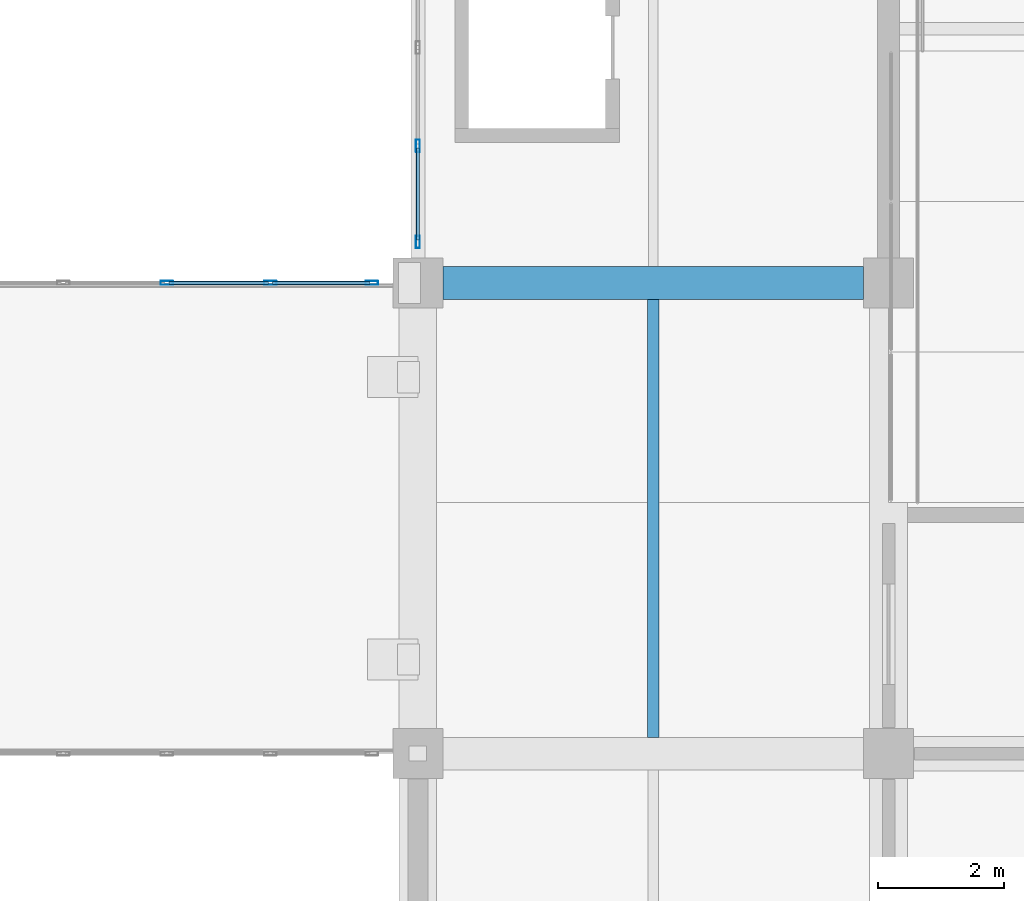
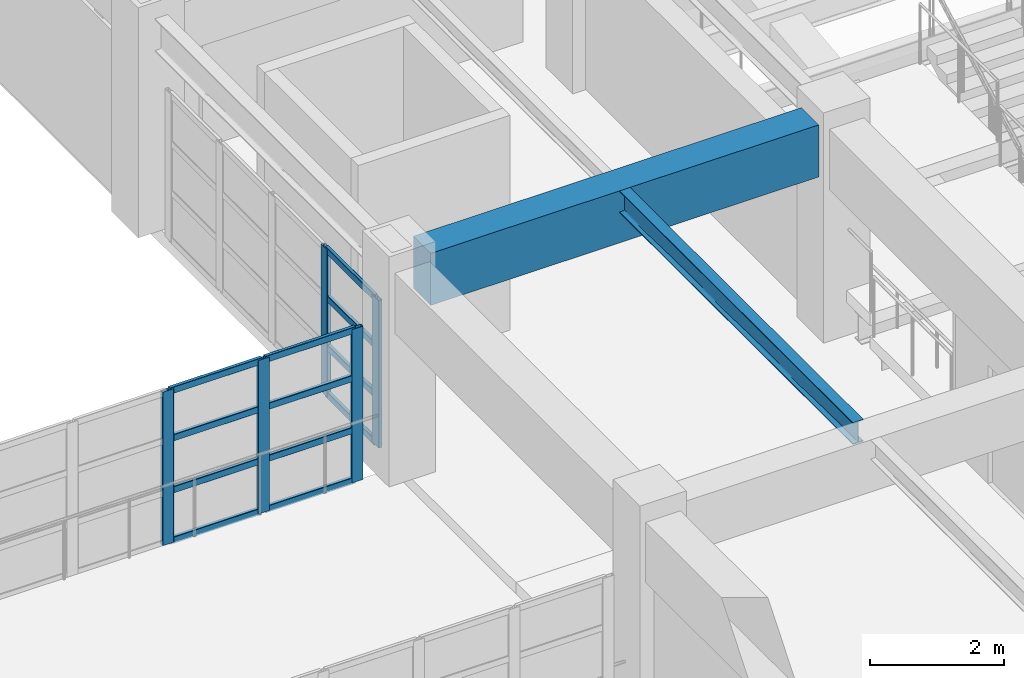
# One storey, part 24 of 124: 17 members, 2 beams, 2 elements without a shape of their own.
"""IFC4 building model written with IfcOpenShell, lengths in metres."""

from ifc_helpers import new_model, si_unit, direction, frame, origin, origin_2d, place, context, subcontext, project, spatial, rectangle, hollow_rectangle, i_section, extrude, material, material_profile, profile_set, type_object, element, aggregate, save


model = new_model("IFC4")

# Units and contexts
model_context = context("Model", 3, precision=1e-05, world=origin(), true_north=direction((0.0, 1.0)))
body_context = subcontext(model_context, "Body", "Model", "MODEL_VIEW")
ifc_project = project(units=[si_unit("LENGTHUNIT", "METRE"), si_unit("AREAUNIT", "SQUARE_METRE"), si_unit("VOLUMEUNIT", "CUBIC_METRE"), si_unit("PLANEANGLEUNIT", "RADIAN"), si_unit("MASSUNIT", "GRAM", prefix="KILO")], contexts=[model_context])

# Site, building, storey
site_placement = place(None, origin())
site = spatial("IfcSite", under=ifc_project, at=site_placement, CompositionType="ELEMENT")
building_placement = place(site_placement, origin())
building = spatial("IfcBuilding", under=site, at=building_placement, Name="Qasida Concert Hall", CompositionType="ELEMENT")
storey_placement = place(building_placement, frame((0.0, 0.0, 9.0)))
storey = spatial("IfcBuildingStorey", under=building, at=storey_placement, Name="L02", CompositionType="ELEMENT", Elevation=9.0)

# Beams
ifc_material_1 = material(Name="Concrete C40/50", Category="concrete")
ifc_material_profile_1 = material_profile(ifc_material_1, rectangle(XDim=0.52001953125, YDim=0.949951171875, at=origin_2d()), Name="RC 520x950")
ifc_profile_set_1 = profile_set([ifc_material_profile_1], Name="Concrete C40/50")
beam_type_1 = type_object("IfcBeamType", Name="BM-G7", PredefinedType="USERDEFINED", material=ifc_profile_set_1)
beam_1_placement = place(storey_placement, frame((52.89990234375, 37.5, 3.425048828125), z_axis=(1.0, 0.0, 0.0), x_axis=(0.0, 1.0, 0.0)))
element("IfcBeam", 1, at=beam_1_placement, inside=storey, type_object=beam_type_1, Name="Primary girder 1147", ObjectType="GIRDER", PredefinedType="USERDEFINED", context=body_context, shape_type="SweptSolid", body=[
    extrude(rectangle(XDim=0.52001953125, YDim=0.949951171875, at=origin_2d()), origin(), (0.0, 0.0, 1.0), 6.7001953125),
])
ifc_material_2 = material(Name="Steel S355J2", Category="steel")
ifc_material_profile_2 = material_profile(ifc_material_2, i_section(OverallWidth=0.179931640625, OverallDepth=0.39990234375, WebThickness=0.008544921875, FlangeThickness=0.013427734375, FilletRadius=0.02099609375, at=origin_2d()), Name="IPE 400")
ifc_profile_set_2 = profile_set([ifc_material_profile_2], Name="Steel S355J2")
beam_type_2 = type_object("IfcBeamType", Name="BM-J3", PredefinedType="JOIST", material=ifc_profile_set_2)
beam_2_placement = place(storey_placement, frame((56.25, 30.260009765625, 3.699951171875), z_axis=(0.0, 1.0, 0.0), x_axis=(-1.0, 0.0, 0.0)))
element("IfcBeam", 2, at=beam_2_placement, inside=storey, type_object=beam_type_2, Name="L02 secondary joist 1202", PredefinedType="JOIST", context=body_context, shape_type="SweptSolid", body=[
    extrude(i_section(OverallWidth=0.179931640625, OverallDepth=0.39990234375, WebThickness=0.008544921875, FlangeThickness=0.013427734375, FilletRadius=0.02099609375, at=origin_2d()), origin(), (0.0, 0.0, 1.0), 6.97998046875),
])

# Curtain wall, members
ifc_material_3 = material(Name="Architectural bronze-anodized aluminium and low-E glass", Category="aluminium")
curtain_wall_type_1 = type_object("IfcCurtainWallType", Name="CW-03", PredefinedType="NOTDEFINED", material=ifc_material_3)
curtain_wall_1_placement = place(storey_placement, origin())
curtain_wall_1 = element("IfcCurtainWall", 3, at=curtain_wall_1_placement, inside=storey, type_object=curtain_wall_type_1, Name="L02 curtain wall CW-03 0047", PredefinedType="NOTDEFINED")
ifc_material_4 = material(Name="Architectural bronze-anodized aluminium EN AW-6063", Category="aluminium")
ifc_material_profile_3 = material_profile(ifc_material_4, hollow_rectangle(XDim=0.06494140625, YDim=0.199951171875, WallThickness=0.0048828125, InnerFilletRadius=0.0048828125, OuterFilletRadius=0.010009765625, at=origin_2d()), Name="CWM 200x65x5")
ifc_profile_set_3 = profile_set([ifc_material_profile_3], Name="Architectural bronze-anodized aluminium EN AW-6063")
member_type_1 = type_object("IfcMemberType", Name="MB-CWM-2", PredefinedType="MULLION", material=ifc_profile_set_3)
member_1_placement = place(storey_placement, frame((52.5, 38.152587890625, 0.0), z_axis=(0.0, 0.0, 1.0), x_axis=(-1.0, 0.0, 0.0)))
member_1 = element("IfcMember", 4, at=member_1_placement, type_object=member_type_1, Name="CW-03 mullion 1", PredefinedType="MULLION", context=body_context, shape_type="SweptSolid", body=[
    extrude(hollow_rectangle(XDim=0.06494140625, YDim=0.199951171875, WallThickness=0.0048828125, InnerFilletRadius=0.0048828125, OuterFilletRadius=0.010009765625, at=origin_2d()), origin(), (0.0, 0.0, 1.0), 2.68994140625),
])
member_2_placement = place(storey_placement, frame((52.5, 39.68505859375, 0.0), z_axis=(0.0, 0.0, 1.0), x_axis=(-1.0, 0.0, 0.0)))
member_2 = element("IfcMember", 5, at=member_2_placement, type_object=member_type_1, Name="CW-03 mullion 2", PredefinedType="MULLION", context=body_context, shape_type="SweptSolid", body=[
    extrude(hollow_rectangle(XDim=0.06494140625, YDim=0.199951171875, WallThickness=0.0048828125, InnerFilletRadius=0.0048828125, OuterFilletRadius=0.010009765625, at=origin_2d()), origin(), (0.0, 0.0, 1.0), 2.68994140625),
])

curtain_wall_type_2 = type_object("IfcCurtainWallType", Name="CW-08", PredefinedType="NOTDEFINED", material=ifc_material_3)
curtain_wall_2_placement = place(storey_placement, origin())
curtain_wall_2 = element("IfcCurtainWall", 6, at=curtain_wall_2_placement, inside=storey, type_object=curtain_wall_type_2, Name="L02 link bridge glazing 0205", PredefinedType="NOTDEFINED")
member_3_placement = place(storey_placement, frame((48.5, 37.5, 0.0), z_axis=(0.0, 0.0, 1.0), x_axis=(0.0, 1.0, 0.0)))
member_3 = element("IfcMember", 7, at=member_3_placement, type_object=member_type_1, Name="CW-08 mullion 3", PredefinedType="MULLION", context=body_context, shape_type="SweptSolid", body=[
    extrude(hollow_rectangle(XDim=0.06494140625, YDim=0.199951171875, WallThickness=0.0048828125, InnerFilletRadius=0.0048828125, OuterFilletRadius=0.010009765625, at=origin_2d()), origin(), (0.0, 0.0, 1.0), 2.800048828125),
])
member_4_placement = place(storey_placement, frame((50.14990234375, 37.5, 0.0), z_axis=(0.0, 0.0, 1.0), x_axis=(0.0, 1.0, 0.0)))
member_4 = element("IfcMember", 8, at=member_4_placement, type_object=member_type_1, Name="CW-08 mullion 4", PredefinedType="MULLION", context=body_context, shape_type="SweptSolid", body=[
    extrude(hollow_rectangle(XDim=0.06494140625, YDim=0.199951171875, WallThickness=0.0048828125, InnerFilletRadius=0.0048828125, OuterFilletRadius=0.010009765625, at=origin_2d()), origin(), (0.0, 0.0, 1.0), 2.800048828125),
])
member_5_placement = place(storey_placement, frame((51.767578125, 37.5, 0.0), z_axis=(0.0, 0.0, 1.0), x_axis=(0.0, 1.0, 0.0)))
member_5 = element("IfcMember", 9, at=member_5_placement, type_object=member_type_1, Name="CW-08 mullion 5", PredefinedType="MULLION", context=body_context, shape_type="SweptSolid", body=[
    extrude(hollow_rectangle(XDim=0.06494140625, YDim=0.199951171875, WallThickness=0.0048828125, InnerFilletRadius=0.0048828125, OuterFilletRadius=0.010009765625, at=origin_2d()), origin(), (0.0, 0.0, 1.0), 2.800048828125),
])

# Member
ifc_material_profile_4 = material_profile(ifc_material_4, hollow_rectangle(XDim=0.06005859375, YDim=0.1201171875, WallThickness=0.00390625, InnerFilletRadius=0.00390625, OuterFilletRadius=0.008056640625, at=origin_2d()), Name="CWT 120x60x4")
ifc_profile_set_4 = profile_set([ifc_material_profile_4], Name="Architectural bronze-anodized aluminium EN AW-6063")
member_type_2 = type_object("IfcMemberType", Name="MB-CWT-2", PredefinedType="USERDEFINED", material=ifc_profile_set_4)
member_6_placement = place(storey_placement, frame((52.5, 38.18505859375, 0.030029296875), z_axis=(0.0, 1.0, 0.0), x_axis=(-1.0, 0.0, 0.0)))
member_6 = element("IfcMember", 10, at=member_6_placement, type_object=member_type_2, Name="CW-03 transom 1.1", ObjectType="TRANSOM", PredefinedType="USERDEFINED", context=body_context, shape_type="SweptSolid", body=[
    extrude(hollow_rectangle(XDim=0.06005859375, YDim=0.1201171875, WallThickness=0.00390625, InnerFilletRadius=0.00390625, OuterFilletRadius=0.008056640625, at=origin_2d()), origin(), (0.0, 0.0, 1.0), 1.467529296875),
])

member_7_placement = place(storey_placement, frame((52.5, 38.18505859375, 0.896728515625), z_axis=(0.0, 1.0, 0.0), x_axis=(-1.0, 0.0, 0.0)))
member_7 = element("IfcMember", 11, at=member_7_placement, type_object=member_type_2, Name="CW-03 transom 1.2", ObjectType="TRANSOM", PredefinedType="USERDEFINED", context=body_context, shape_type="SweptSolid", body=[
    extrude(hollow_rectangle(XDim=0.06005859375, YDim=0.1201171875, WallThickness=0.00390625, InnerFilletRadius=0.00390625, OuterFilletRadius=0.008056640625, at=origin_2d()), origin(), (0.0, 0.0, 1.0), 1.467529296875),
])

member_8_placement = place(storey_placement, frame((52.5, 38.18505859375, 1.793212890625), z_axis=(0.0, 1.0, 0.0), x_axis=(-1.0, 0.0, 0.0)))
member_8 = element("IfcMember", 12, at=member_8_placement, type_object=member_type_2, Name="CW-03 transom 1.3", ObjectType="TRANSOM", PredefinedType="USERDEFINED", context=body_context, shape_type="SweptSolid", body=[
    extrude(hollow_rectangle(XDim=0.06005859375, YDim=0.1201171875, WallThickness=0.00390625, InnerFilletRadius=0.00390625, OuterFilletRadius=0.008056640625, at=origin_2d()), origin(), (0.0, 0.0, 1.0), 1.467529296875),
])

member_9_placement = place(storey_placement, frame((52.5, 38.18505859375, 2.659912109375), z_axis=(0.0, 1.0, 0.0), x_axis=(-1.0, 0.0, 0.0)))
member_9 = element("IfcMember", 13, at=member_9_placement, type_object=member_type_2, Name="CW-03 transom 1.4", ObjectType="TRANSOM", PredefinedType="USERDEFINED", context=body_context, shape_type="SweptSolid", body=[
    extrude(hollow_rectangle(XDim=0.06005859375, YDim=0.1201171875, WallThickness=0.00390625, InnerFilletRadius=0.00390625, OuterFilletRadius=0.008056640625, at=origin_2d()), origin(), (0.0, 0.0, 1.0), 1.467529296875),
])

aggregate(curtain_wall_1, [member_1, member_2, member_6, member_7, member_8, member_9])

member_10_placement = place(storey_placement, frame((48.532470703125, 37.5, 0.030029296875), z_axis=(1.0, 0.0, 0.0), x_axis=(0.0, 1.0, 0.0)))
member_10 = element("IfcMember", 14, at=member_10_placement, type_object=member_type_2, Name="CW-08 transom 3.1", ObjectType="TRANSOM", PredefinedType="USERDEFINED", context=body_context, shape_type="SweptSolid", body=[
    extrude(hollow_rectangle(XDim=0.06005859375, YDim=0.1201171875, WallThickness=0.00390625, InnerFilletRadius=0.00390625, OuterFilletRadius=0.008056640625, at=origin_2d()), origin(), (0.0, 0.0, 1.0), 1.5849609375),
])

member_11_placement = place(storey_placement, frame((48.532470703125, 37.5, 0.949951171875), z_axis=(1.0, 0.0, 0.0), x_axis=(0.0, 1.0, 0.0)))
member_11 = element("IfcMember", 15, at=member_11_placement, type_object=member_type_2, Name="CW-08 transom 3.2", ObjectType="TRANSOM", PredefinedType="USERDEFINED", context=body_context, shape_type="SweptSolid", body=[
    extrude(hollow_rectangle(XDim=0.06005859375, YDim=0.1201171875, WallThickness=0.00390625, InnerFilletRadius=0.00390625, OuterFilletRadius=0.008056640625, at=origin_2d()), origin(), (0.0, 0.0, 1.0), 1.5849609375),
])

member_12_placement = place(storey_placement, frame((48.532470703125, 37.5, 1.89990234375), z_axis=(1.0, 0.0, 0.0), x_axis=(0.0, 1.0, 0.0)))
member_12 = element("IfcMember", 16, at=member_12_placement, type_object=member_type_2, Name="CW-08 transom 3.3", ObjectType="TRANSOM", PredefinedType="USERDEFINED", context=body_context, shape_type="SweptSolid", body=[
    extrude(hollow_rectangle(XDim=0.06005859375, YDim=0.1201171875, WallThickness=0.00390625, InnerFilletRadius=0.00390625, OuterFilletRadius=0.008056640625, at=origin_2d()), origin(), (0.0, 0.0, 1.0), 1.5849609375),
])

member_13_placement = place(storey_placement, frame((48.532470703125, 37.5, 2.77001953125), z_axis=(1.0, 0.0, 0.0), x_axis=(0.0, 1.0, 0.0)))
member_13 = element("IfcMember", 17, at=member_13_placement, type_object=member_type_2, Name="CW-08 transom 3.4", ObjectType="TRANSOM", PredefinedType="USERDEFINED", context=body_context, shape_type="SweptSolid", body=[
    extrude(hollow_rectangle(XDim=0.06005859375, YDim=0.1201171875, WallThickness=0.00390625, InnerFilletRadius=0.00390625, OuterFilletRadius=0.008056640625, at=origin_2d()), origin(), (0.0, 0.0, 1.0), 1.5849609375),
])

member_14_placement = place(storey_placement, frame((50.1826171875, 37.5, 0.030029296875), z_axis=(1.0, 0.0, 0.0), x_axis=(0.0, 1.0, 0.0)))
member_14 = element("IfcMember", 18, at=member_14_placement, type_object=member_type_2, Name="CW-08 transom 4.1", ObjectType="TRANSOM", PredefinedType="USERDEFINED", context=body_context, shape_type="SweptSolid", body=[
    extrude(hollow_rectangle(XDim=0.06005859375, YDim=0.1201171875, WallThickness=0.00390625, InnerFilletRadius=0.00390625, OuterFilletRadius=0.008056640625, at=origin_2d()), origin(), (0.0, 0.0, 1.0), 1.552490234375),
])

member_15_placement = place(storey_placement, frame((50.1826171875, 37.5, 0.949951171875), z_axis=(1.0, 0.0, 0.0), x_axis=(0.0, 1.0, 0.0)))
member_15 = element("IfcMember", 19, at=member_15_placement, type_object=member_type_2, Name="CW-08 transom 4.2", ObjectType="TRANSOM", PredefinedType="USERDEFINED", context=body_context, shape_type="SweptSolid", body=[
    extrude(hollow_rectangle(XDim=0.06005859375, YDim=0.1201171875, WallThickness=0.00390625, InnerFilletRadius=0.00390625, OuterFilletRadius=0.008056640625, at=origin_2d()), origin(), (0.0, 0.0, 1.0), 1.552490234375),
])

member_16_placement = place(storey_placement, frame((50.1826171875, 37.5, 1.89990234375), z_axis=(1.0, 0.0, 0.0), x_axis=(0.0, 1.0, 0.0)))
member_16 = element("IfcMember", 20, at=member_16_placement, type_object=member_type_2, Name="CW-08 transom 4.3", ObjectType="TRANSOM", PredefinedType="USERDEFINED", context=body_context, shape_type="SweptSolid", body=[
    extrude(hollow_rectangle(XDim=0.06005859375, YDim=0.1201171875, WallThickness=0.00390625, InnerFilletRadius=0.00390625, OuterFilletRadius=0.008056640625, at=origin_2d()), origin(), (0.0, 0.0, 1.0), 1.552490234375),
])

member_17_placement = place(storey_placement, frame((50.1826171875, 37.5, 2.77001953125), z_axis=(1.0, 0.0, 0.0), x_axis=(0.0, 1.0, 0.0)))
member_17 = element("IfcMember", 21, at=member_17_placement, type_object=member_type_2, Name="CW-08 transom 4.4", ObjectType="TRANSOM", PredefinedType="USERDEFINED", context=body_context, shape_type="SweptSolid", body=[
    extrude(hollow_rectangle(XDim=0.06005859375, YDim=0.1201171875, WallThickness=0.00390625, InnerFilletRadius=0.00390625, OuterFilletRadius=0.008056640625, at=origin_2d()), origin(), (0.0, 0.0, 1.0), 1.552490234375),
])

aggregate(curtain_wall_2, [member_3, member_4, member_5, member_10, member_11, member_12, member_13, member_14, member_15, member_16, member_17])

save(model, "model.ifc")
